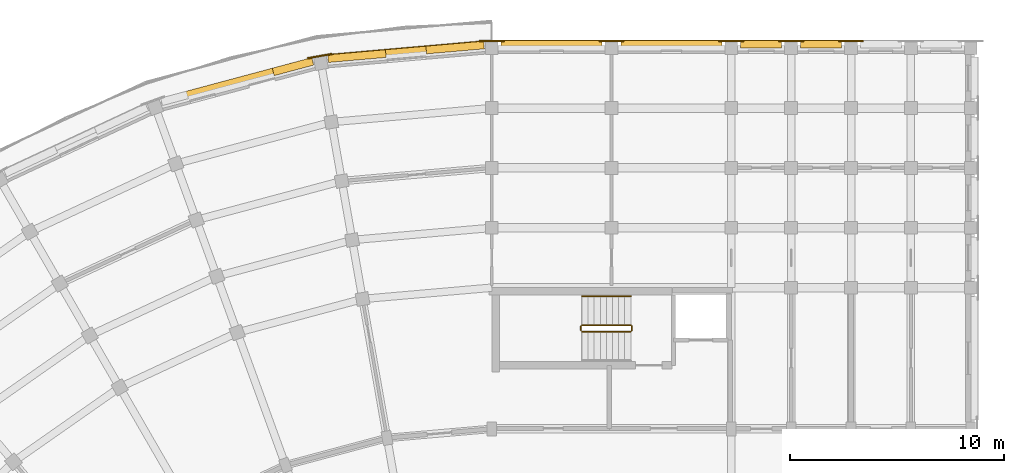
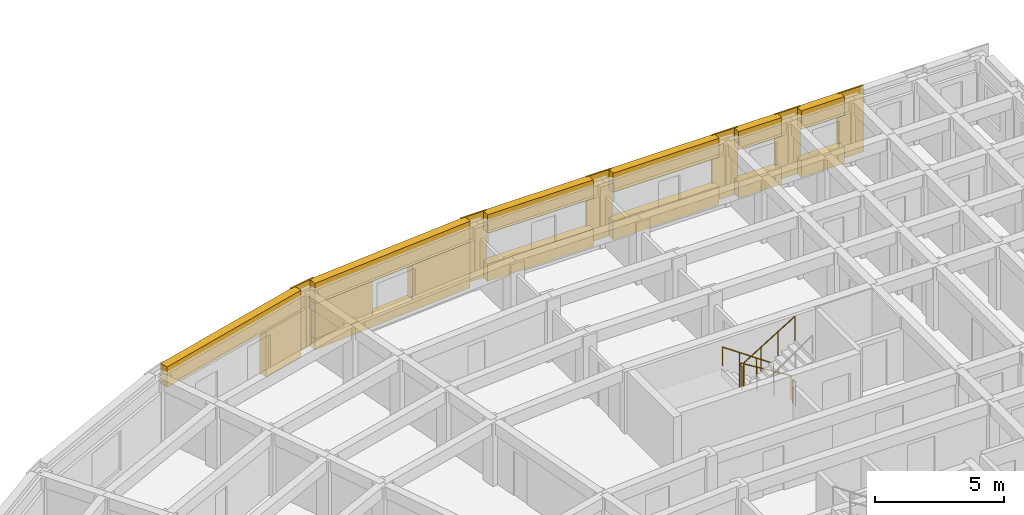
# One storey, part 45 of 53: 20 coverings, 5 railings.
"""IFC4 building model written with IfcOpenShell, lengths in metres."""

from ifc_helpers import new_model, si_unit, direction, frame, origin, origin_2d, place, context, subcontext, project, spatial, polyline, circle, outline, extrude, material, layer, layer_set, type_object, element, save


model = new_model("IFC4")

# Units and contexts
model_context = context("Model", 3, precision=1e-05, world=origin(), true_north=direction((0.0, 1.0)))
body_context = subcontext(model_context, "Body", "Model", "MODEL_VIEW")
ifc_project = project(units=[si_unit("LENGTHUNIT", "METRE"), si_unit("AREAUNIT", "SQUARE_METRE"), si_unit("VOLUMEUNIT", "CUBIC_METRE"), si_unit("PLANEANGLEUNIT", "RADIAN"), si_unit("MASSUNIT", "GRAM", prefix="KILO")], contexts=[model_context])

# Site, building, storey
site_placement = place(None, origin())
site = spatial("IfcSite", under=ifc_project, at=site_placement, CompositionType="ELEMENT")
building_placement = place(site_placement, origin())
building = spatial("IfcBuilding", under=site, at=building_placement, Name="Kiranvali Square Residences", CompositionType="ELEMENT")
storey_placement = place(building_placement, frame((0.0, 0.0, 30.75)))
storey = spatial("IfcBuildingStorey", under=building, at=storey_placement, Name="L09", CompositionType="ELEMENT", Elevation=30.75)

# Coverings
ifc_material_1 = material(Name="Honed Porbandar limestone ashlar facade cladding", Category="masonry")
ifc_layer_1 = layer(ifc_material_1, 0.3798828125)
ifc_layer_set_1 = layer_set([ifc_layer_1], Name="Honed Porbandar limestone ashlar facade cladding")
covering_type_1 = type_object("IfcCoveringType", Name="COV-CLAD-JAMB", PredefinedType="CLADDING", material=ifc_layer_set_1)
covering_1_placement = place(storey_placement, frame((0.0, 0.0, 0.52197265625)))
element("IfcCovering", 1, at=covering_1_placement, inside=storey, type_object=covering_type_1, Name="L09 deep limestone window jamb reveal A-L09-CRV-00.L", PredefinedType="CLADDING", context=body_context, shape_type="SweptSolid", body=[
    extrude(outline(polyline([(47.820068359375, 134.128173828125), (45.12109375, 133.89208984375), (45.15234375, 133.533935546875), (47.851318359375, 133.77001953125), (47.820068359375, 134.128173828125)])), origin(), (0.0, 0.0, 1.0), 1.650146484375),
])
covering_2_placement = place(storey_placement, frame((0.0, 0.0, 0.52197265625)))
element("IfcCovering", 2, at=covering_2_placement, inside=storey, type_object=covering_type_1, Name="L09 deep limestone window jamb reveal A-L09-CRV-00.R", PredefinedType="CLADDING", context=body_context, shape_type="SweptSolid", body=[
    extrude(outline(polyline([(43.228271484375, 133.726318359375), (40.529541015625, 133.490234375), (40.560791015625, 133.132080078125), (43.259765625, 133.3681640625), (43.228271484375, 133.726318359375)])), origin(), (0.0, 0.0, 1.0), 1.650146484375),
])
covering_3_placement = place(storey_placement, origin())
element("IfcCovering", 3, at=covering_3_placement, inside=storey, type_object=covering_type_1, Name="L09 deep limestone window jamb reveal A-L09-CRV-01.L", PredefinedType="CLADDING", context=body_context, shape_type="SweptSolid", body=[
    extrude(outline(polyline([(39.781005859375, 133.3583984375), (37.9345703125, 132.863525390625), (38.027587890625, 132.516357421875), (39.8740234375, 133.010986328125), (39.781005859375, 133.3583984375)])), origin(), (0.0, 0.0, 1.0), 2.179931640625),
])
ifc_layer_2 = layer(ifc_material_1, 0.06494140625)
ifc_layer_set_2 = layer_set([ifc_layer_2], Name="Honed Porbandar limestone ashlar facade cladding")
covering_type_2 = type_object("IfcCoveringType", Name="COV-CLAD-PIER", PredefinedType="CLADDING", material=ifc_layer_set_2)
covering_4_placement = place(storey_placement, frame((0.0, 0.0, 0.0048828125)))
element("IfcCovering", 4, at=covering_4_placement, inside=storey, type_object=covering_type_2, Name="L09 Classical limestone corner pilaster CLAD-PR-A-L09-A00", PredefinedType="CLADDING", context=body_context, shape_type="SweptSolid", body=[
    extrude(outline(polyline([(48.780029296875, 134.16796875), (47.6201171875, 134.16796875), (47.6201171875, 134.1005859375), (48.780029296875, 134.1005859375), (48.780029296875, 134.16796875)])), origin(), (0.0, 0.0, 1.0), 3.14013671875),
])
covering_5_placement = place(storey_placement, frame((0.0, 0.0, 0.0048828125)))
element("IfcCovering", 5, at=covering_5_placement, inside=storey, type_object=covering_type_2, Name="L09 Classical limestone corner pilaster CLAD-PR-A-L09-A01", PredefinedType="CLADDING", context=body_context, shape_type="SweptSolid", body=[
    extrude(outline(polyline([(40.719482421875, 133.564208984375), (39.5771484375, 133.36279296875), (39.5888671875, 133.29638671875), (40.731201171875, 133.497802734375), (40.719482421875, 133.564208984375)])), origin(), (0.0, 0.0, 1.0), 3.14013671875),
])
ifc_layer_3 = layer(ifc_material_1, 0.054931640625)
ifc_layer_set_3 = layer_set([ifc_layer_3], Name="Honed Porbandar limestone ashlar facade cladding")
covering_type_3 = type_object("IfcCoveringType", Name="COV-CLAD-PIER-UP", PredefinedType="CLADDING", material=ifc_layer_set_3)
covering_6_placement = place(storey_placement, frame((0.0, 0.0, 0.0048828125)))
element("IfcCovering", 6, at=covering_6_placement, inside=storey, type_object=covering_type_3, Name="L09 Classical limestone pilaster casing CLAD-PR-A-L09-U56", PredefinedType="CLADDING", context=body_context, shape_type="SweptSolid", body=[
    extrude(outline(polyline([(53.219970703125, 134.1005859375), (54.3798828125, 134.1005859375), (54.3798828125, 134.16796875), (53.219970703125, 134.16796875), (53.219970703125, 134.1005859375)])), origin(), (0.0, 0.0, 1.0), 3.14013671875),
])
covering_7_placement = place(storey_placement, frame((0.0, 0.0, 0.0048828125)))
element("IfcCovering", 7, at=covering_7_placement, inside=storey, type_object=covering_type_3, Name="L09 Classical limestone pilaster casing CLAD-PR-A-L09-U112", PredefinedType="CLADDING", context=body_context, shape_type="SweptSolid", body=[
    extrude(outline(polyline([(58.820068359375, 134.1005859375), (59.97998046875, 134.1005859375), (59.97998046875, 134.16796875), (58.820068359375, 134.16796875), (58.820068359375, 134.1005859375)])), origin(), (0.0, 0.0, 1.0), 3.14013671875),
])
covering_8_placement = place(storey_placement, frame((0.0, 0.0, 0.0048828125)))
element("IfcCovering", 8, at=covering_8_placement, inside=storey, type_object=covering_type_3, Name="L09 Classical limestone pilaster casing CLAD-PR-A-L09-U140", PredefinedType="CLADDING", context=body_context, shape_type="SweptSolid", body=[
    extrude(outline(polyline([(61.6201171875, 134.1005859375), (62.780029296875, 134.1005859375), (62.780029296875, 134.16796875), (61.6201171875, 134.16796875), (61.6201171875, 134.1005859375)])), origin(), (0.0, 0.0, 1.0), 3.14013671875),
])
covering_9_placement = place(storey_placement, frame((0.0, 0.0, 0.0048828125)))
element("IfcCovering", 9, at=covering_9_placement, inside=storey, type_object=covering_type_3, Name="L09 Classical limestone pilaster casing CLAD-PR-A-L09-U167", PredefinedType="CLADDING", context=body_context, shape_type="SweptSolid", body=[
    extrude(outline(polyline([(64.419921875, 134.1005859375), (65.580078125, 134.1005859375), (65.580078125, 134.16796875), (64.419921875, 134.16796875), (64.419921875, 134.1005859375)])), origin(), (0.0, 0.0, 1.0), 3.14013671875),
])
ifc_layer_4 = layer(ifc_material_1, 0.360107421875)
ifc_layer_set_4 = layer_set([ifc_layer_4], Name="Honed Porbandar limestone ashlar facade cladding")
covering_type_4 = type_object("IfcCoveringType", Name="COV-CLAD-WALL", PredefinedType="CLADDING", material=ifc_layer_set_4)
covering_10_placement = place(storey_placement, frame((0.0, 0.0, 2.172119140625)))
element("IfcCovering", 10, at=covering_10_placement, inside=storey, type_object=covering_type_4, Name="L09 light limestone spandrel lintel A-L09-CRV-00", PredefinedType="CLADDING", context=body_context, shape_type="SweptSolid", body=[
    extrude(outline(polyline([(47.820068359375, 134.128173828125), (40.529541015625, 133.490234375), (40.560791015625, 133.132080078125), (47.851318359375, 133.77001953125), (47.820068359375, 134.128173828125)])), origin(), (0.0, 0.0, 1.0), 0.972900390625),
])
covering_11_placement = place(storey_placement, frame((0.0, 0.0, 0.0048828125)))
element("IfcCovering", 11, at=covering_11_placement, inside=storey, type_object=covering_type_4, Name="L09 limestone window sill apron A-L09-CRV-00", PredefinedType="CLADDING", context=body_context, shape_type="SweptSolid", body=[
    extrude(outline(polyline([(47.8173828125, 134.157958984375), (40.52685546875, 133.520263671875), (40.560791015625, 133.132080078125), (47.851318359375, 133.77001953125), (47.8173828125, 134.157958984375)])), origin(), (0.0, 0.0, 1.0), 0.51708984375),
])
covering_12_placement = place(storey_placement, frame((0.0, 0.0, 2.179931640625)))
element("IfcCovering", 12, at=covering_12_placement, inside=storey, type_object=covering_type_4, Name="L09 light limestone spandrel lintel A-L09-CRV-01", PredefinedType="CLADDING", context=body_context, shape_type="SweptSolid", body=[
    extrude(outline(polyline([(39.781005859375, 133.3583984375), (32.7119140625, 131.464111328125), (32.804931640625, 131.116943359375), (39.8740234375, 133.010986328125), (39.781005859375, 133.3583984375)])), origin(), (0.0, 0.0, 1.0), 0.965087890625),
])
covering_13_placement = place(storey_placement, frame((0.0, 0.0, 2.27197265625)))
element("IfcCovering", 13, at=covering_13_placement, inside=storey, type_object=covering_type_4, Name="L09 light limestone spandrel lintel A-L09-A1O-0", PredefinedType="CLADDING", context=body_context, shape_type="SweptSolid", body=[
    extrude(outline(polyline([(48.639892578125, 133.800537109375), (53.360107421875, 133.800537109375), (53.360107421875, 134.14990234375), (48.639892578125, 134.14990234375), (48.639892578125, 133.800537109375)])), origin(), (0.0, 0.0, 1.0), 0.873046875),
])
covering_14_placement = place(storey_placement, frame((0.0, 0.0, 0.0048828125)))
element("IfcCovering", 14, at=covering_14_placement, inside=storey, type_object=covering_type_4, Name="L09 limestone window sill apron A-L09-A1O-0", PredefinedType="CLADDING", context=body_context, shape_type="SweptSolid", body=[
    extrude(outline(polyline([(48.639892578125, 133.800537109375), (53.360107421875, 133.800537109375), (53.360107421875, 134.179931640625), (48.639892578125, 134.179931640625), (48.639892578125, 133.800537109375)])), origin(), (0.0, 0.0, 1.0), 0.817138671875),
])
covering_15_placement = place(storey_placement, frame((0.0, 0.0, 2.22998046875)))
element("IfcCovering", 15, at=covering_15_placement, inside=storey, type_object=covering_type_4, Name="L09 light limestone spandrel lintel A-L09-A1O-1", PredefinedType="CLADDING", context=body_context, shape_type="SweptSolid", body=[
    extrude(outline(polyline([(54.239990234375, 133.800537109375), (58.9599609375, 133.800537109375), (58.9599609375, 134.14990234375), (54.239990234375, 134.14990234375), (54.239990234375, 133.800537109375)])), origin(), (0.0, 0.0, 1.0), 0.9150390625),
])
covering_16_placement = place(storey_placement, frame((0.0, 0.0, 0.0048828125)))
element("IfcCovering", 16, at=covering_16_placement, inside=storey, type_object=covering_type_4, Name="L09 limestone window sill apron A-L09-A1O-1", PredefinedType="CLADDING", context=body_context, shape_type="SweptSolid", body=[
    extrude(outline(polyline([(54.239990234375, 133.800537109375), (58.9599609375, 133.800537109375), (58.9599609375, 134.179931640625), (54.239990234375, 134.179931640625), (54.239990234375, 133.800537109375)])), origin(), (0.0, 0.0, 1.0), 0.875),
])
covering_17_placement = place(storey_placement, frame((0.0, 0.0, 2.27197265625)))
element("IfcCovering", 17, at=covering_17_placement, inside=storey, type_object=covering_type_4, Name="L09 light limestone spandrel lintel A-L09-A1O-2", PredefinedType="CLADDING", context=body_context, shape_type="SweptSolid", body=[
    extrude(outline(polyline([(59.840087890625, 133.800537109375), (61.760009765625, 133.800537109375), (61.760009765625, 134.14990234375), (59.840087890625, 134.14990234375), (59.840087890625, 133.800537109375)])), origin(), (0.0, 0.0, 1.0), 0.873046875),
])
covering_18_placement = place(storey_placement, frame((0.0, 0.0, 0.0048828125)))
element("IfcCovering", 18, at=covering_18_placement, inside=storey, type_object=covering_type_4, Name="L09 limestone window sill apron A-L09-A1O-2", PredefinedType="CLADDING", context=body_context, shape_type="SweptSolid", body=[
    extrude(outline(polyline([(59.840087890625, 133.800537109375), (61.760009765625, 133.800537109375), (61.760009765625, 134.179931640625), (59.840087890625, 134.179931640625), (59.840087890625, 133.800537109375)])), origin(), (0.0, 0.0, 1.0), 0.76708984375),
])
covering_19_placement = place(storey_placement, frame((0.0, 0.0, 2.27197265625)))
element("IfcCovering", 19, at=covering_19_placement, inside=storey, type_object=covering_type_4, Name="L09 light limestone spandrel lintel A-L09-A1O-3", PredefinedType="CLADDING", context=body_context, shape_type="SweptSolid", body=[
    extrude(outline(polyline([(62.639892578125, 133.800537109375), (64.56005859375, 133.800537109375), (64.56005859375, 134.14990234375), (62.639892578125, 134.14990234375), (62.639892578125, 133.800537109375)])), origin(), (0.0, 0.0, 1.0), 0.873046875),
])
covering_20_placement = place(storey_placement, frame((0.0, 0.0, 0.0048828125)))
element("IfcCovering", 20, at=covering_20_placement, inside=storey, type_object=covering_type_4, Name="L09 limestone window sill apron A-L09-A1O-3", PredefinedType="CLADDING", context=body_context, shape_type="SweptSolid", body=[
    extrude(outline(polyline([(62.639892578125, 133.800537109375), (64.56005859375, 133.800537109375), (64.56005859375, 134.179931640625), (62.639892578125, 134.179931640625), (62.639892578125, 133.800537109375)])), origin(), (0.0, 0.0, 1.0), 0.76708984375),
])

# Railings
ifc_material_2 = material(Name="Brushed stainless steel tubular handrail", Category="steel")
railing_type_1 = type_object("IfcRailingType", Name="RL-HANDRAIL-900", PredefinedType="HANDRAIL", material=ifc_material_2)
railing_1_placement = place(storey_placement, frame((54.699951171875, 122.199951171875, 0.175048828125)))
element("IfcRailing", 21, at=railing_1_placement, inside=storey, type_object=railing_type_1, Name="L09 ST-A1 stair handrail 1", PredefinedType="HANDRAIL", context=body_context, shape_type="SweptSolid", body=[
    extrude(circle(Radius=0.02392578125, at=origin_2d()), frame((0.0, 0.0, 0.8759765625), z_axis=(-0.82278801735, 0.0, 0.568348377763), x_axis=(0.0, -1.0, 0.0)), (0.0, 0.0, 1.0), 2.77099609375),
    extrude(circle(Radius=0.02099609375, at=origin_2d()), origin(), (0.0, 0.0, 1.0), 0.851806640625),
    extrude(circle(Radius=0.02099609375, at=origin_2d()), frame((-0.760009765625, 0.0, 0.52490234375)), (0.0, 0.0, 1.0), 0.851806640625),
    extrude(circle(Radius=0.02099609375, at=origin_2d()), frame((-1.52001953125, 0.0, 1.050048828125)), (0.0, 0.0, 1.0), 0.851806640625),
    extrude(circle(Radius=0.02099609375, at=origin_2d()), frame((-2.280029296875, 0.0, 1.574951171875)), (0.0, 0.0, 1.0), 0.851806640625),
])
ifc_material_3 = material(Name="Powder-coated architectural bronze balustrade", Category="steel")
railing_type_2 = type_object("IfcRailingType", Name="RL-ST-GUARD-1200", PredefinedType="GUARDRAIL", material=ifc_material_3)
railing_2_placement = place(storey_placement, frame((54.699951171875, 120.85009765625, 0.175048828125)))
element("IfcRailing", 22, at=railing_2_placement, inside=storey, type_object=railing_type_2, Name="L09 ST-A1 stair guard 1", PredefinedType="GUARDRAIL", context=body_context, shape_type="SweptSolid", body=[
    extrude(circle(Radius=0.02392578125, at=origin_2d()), frame((0.0, 0.0, 1.1259765625), z_axis=(-0.852190499154, 0.0, 0.523231643875), x_axis=(0.0, -1.0, 0.0)), (0.0, 0.0, 1.0), 2.675537109375),
    extrude(circle(Radius=0.02099609375, at=origin_2d()), origin(), (0.0, 0.0, 1.0), 1.101806640625),
    extrude(circle(Radius=0.02099609375, at=origin_2d()), frame((-0.760009765625, 0.0, 0.466552734375)), (0.0, 0.0, 1.0), 1.101806640625),
    extrude(circle(Radius=0.02099609375, at=origin_2d()), frame((-1.52001953125, 0.0, 0.933349609375)), (0.0, 0.0, 1.0), 1.101806640625),
    extrude(circle(Radius=0.02099609375, at=origin_2d()), frame((-2.280029296875, 0.0, 1.39990234375)), (0.0, 0.0, 1.0), 1.101806640625),
])
railing_3_placement = place(storey_placement, frame((52.3701171875, 120.800048828125, 1.574951171875)))
element("IfcRailing", 23, at=railing_3_placement, inside=storey, type_object=railing_type_2, Name="L09 ST-A1 stair guard 2", PredefinedType="GUARDRAIL", context=body_context, shape_type="SweptSolid", body=[
    extrude(circle(Radius=0.02392578125, at=origin_2d()), frame((0.0, 0.0, 1.1259765625), z_axis=(0.0, -1.0, 0.0), x_axis=(1.0, 0.0, 0.0)), (0.0, 0.0, 1.0), 0.199951171875),
    extrude(circle(Radius=0.02099609375, at=origin_2d()), origin(), (0.0, 0.0, 1.0), 1.101806640625),
    extrude(circle(Radius=0.02099609375, at=origin_2d()), frame((0.0, -0.199951171875, 0.0)), (0.0, 0.0, 1.0), 1.101806640625),
])
railing_4_placement = place(storey_placement, frame((52.419921875, 120.550048828125, 1.75)))
element("IfcRailing", 24, at=railing_4_placement, inside=storey, type_object=railing_type_2, Name="L09 ST-A1 stair guard 3", PredefinedType="GUARDRAIL", context=body_context, shape_type="SweptSolid", body=[
    extrude(circle(Radius=0.02392578125, at=origin_2d()), frame((0.0, 0.0, 1.1259765625), z_axis=(0.852190499154, 0.0, 0.523231643875), x_axis=(0.0, 1.0, 0.0)), (0.0, 0.0, 1.0), 2.675537109375),
    extrude(circle(Radius=0.02099609375, at=origin_2d()), origin(), (0.0, 0.0, 1.0), 1.101806640625),
    extrude(circle(Radius=0.02099609375, at=origin_2d()), frame((0.760009765625, 0.0, 0.466552734375)), (0.0, 0.0, 1.0), 1.101806640625),
    extrude(circle(Radius=0.02099609375, at=origin_2d()), frame((1.52001953125, 0.0, 0.933349609375)), (0.0, 0.0, 1.0), 1.101806640625),
    extrude(circle(Radius=0.02099609375, at=origin_2d()), frame((2.280029296875, 0.0, 1.39990234375)), (0.0, 0.0, 1.0), 1.101806640625),
])
railing_5_placement = place(storey_placement, frame((54.75, 120.800048828125, 0.0)))
element("IfcRailing", 25, at=railing_5_placement, inside=storey, type_object=railing_type_2, Name="L09 ST-A1 stair guard 4", PredefinedType="GUARDRAIL", context=body_context, shape_type="SweptSolid", body=[
    extrude(circle(Radius=0.02392578125, at=origin_2d()), frame((0.0, 0.0, 1.1259765625), z_axis=(0.0, -1.0, 0.0), x_axis=(1.0, 0.0, 0.0)), (0.0, 0.0, 1.0), 0.199951171875),
    extrude(circle(Radius=0.02099609375, at=origin_2d()), origin(), (0.0, 0.0, 1.0), 1.101806640625),
    extrude(circle(Radius=0.02099609375, at=origin_2d()), frame((0.0, -0.199951171875, 0.0)), (0.0, 0.0, 1.0), 1.101806640625),
])

save(model, "model.ifc")
